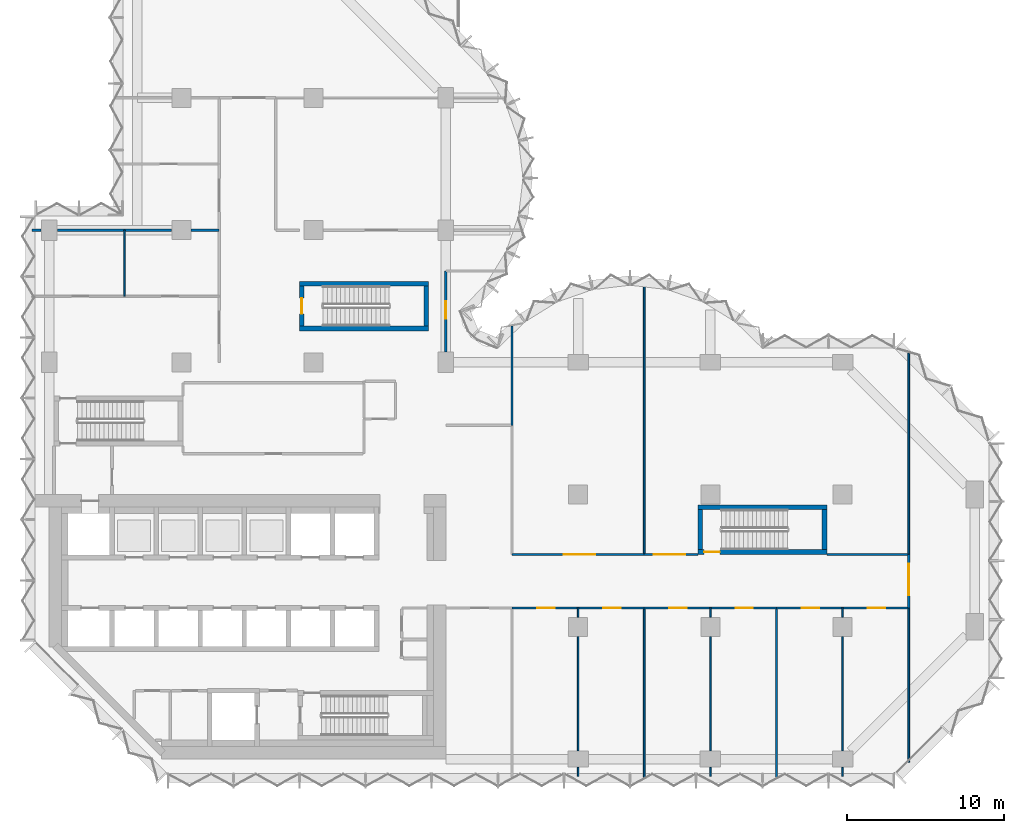
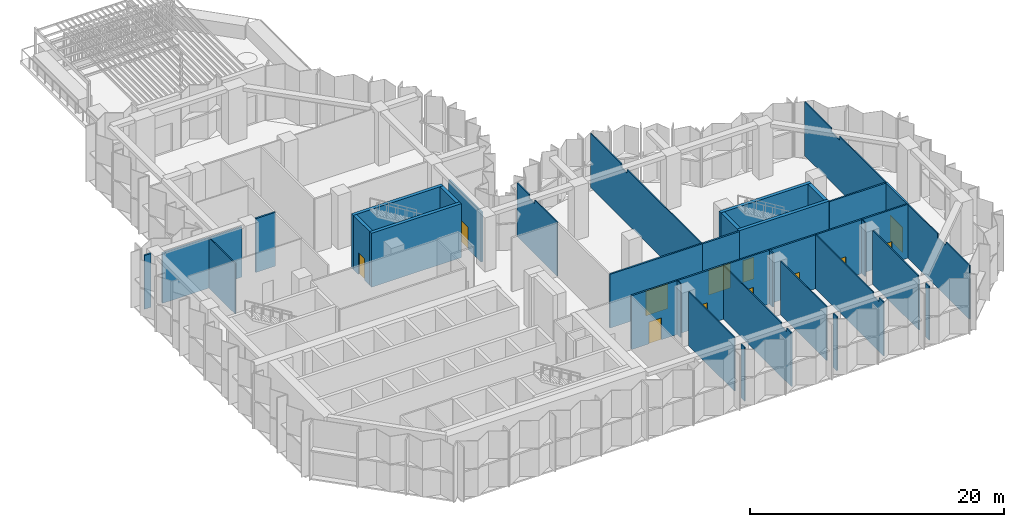
# One storey, part 10 of 15: 39 walls, 12 doors, 12 openings.
"""IFC4 building model written with IfcOpenShell, lengths in metres."""

from ifc_helpers import new_model, si_unit, direction, frame, frame_2d, origin, place, context, subcontext, project, spatial, polyline, rectangle, outline, extrude, material, layer, layer_set, type_object, element, fill, save


model = new_model("IFC4")

# Units and contexts
model_context = context("Model", 3, precision=1e-05, world=origin(), true_north=direction((0.0, 1.0)))
body_context = subcontext(model_context, "Body", "Model", "MODEL_VIEW")
ifc_project = project(units=[si_unit("LENGTHUNIT", "METRE"), si_unit("AREAUNIT", "SQUARE_METRE"), si_unit("VOLUMEUNIT", "CUBIC_METRE"), si_unit("PLANEANGLEUNIT", "RADIAN"), si_unit("MASSUNIT", "GRAM", prefix="KILO")], contexts=[model_context])

# Site, building, storey
site_placement = place(None, origin())
site = spatial("IfcSite", under=ifc_project, at=site_placement, CompositionType="ELEMENT")
building_placement = place(site_placement, origin())
building = spatial("IfcBuilding", under=site, at=building_placement, Name="Brevane Broadcast Tower", CompositionType="ELEMENT")
storey_placement = place(building_placement, frame((0.0, 0.0, 156.5)))
storey = spatial("IfcBuildingStorey", under=building, at=storey_placement, Name="L39", CompositionType="ELEMENT", Elevation=156.5)

# Walls
ifc_material_1 = material(Name="Concrete C60/75", Category="concrete")
ifc_layer_1 = layer(ifc_material_1, 0.300048828125)
ifc_layer_set_1 = layer_set([ifc_layer_1], Name="Core wall 300 mm C60/75")
wall_type_1 = type_object("IfcWallType", Name="Core wall 300 mm C60/75", PredefinedType="SHEAR", material=ifc_layer_set_1)
for number, where, z_axis, x_axis, name in (
    (1, (15.89990234375, 27.35009765625, 0.0), (0.0, 0.0, 1.0), (1.0, 0.0, 0.0), "L39 stair wall ST-3-S"),
    (2, (15.89990234375, 30.199951171875, 0.0), (0.0, 0.0, 1.0), (1.0, 0.0, 0.0), "L39 stair wall ST-3-N"),
):
    element("IfcWall", number, at=place(storey_placement, frame(where, z_axis=z_axis, x_axis=x_axis)), inside=storey, type_object=wall_type_1, Name=name, PredefinedType="SHEAR", context=body_context, shape_type="SweptSolid", body=[
        extrude(rectangle(XDim=8.2001953125, YDim=0.300048828125, at=frame_2d((4.10009765625, 0.0))), origin(), (0.0, 0.0, 1.0), 5.199951171875),
    ])

# Wall, opening, door
wall_1_placement = place(storey_placement, frame((16.050048828125, 27.5, 0.0), z_axis=(0.0, 0.0, 1.0), x_axis=(0.0, 1.0, 0.0)))
wall_1 = element("IfcWall", 3, at=wall_1_placement, inside=storey, type_object=wall_type_1, Name="L39 stair wall ST-3-W", PredefinedType="SHEAR", context=body_context, shape_type="SweptSolid", body=[
    extrude(rectangle(XDim=2.550048828125, YDim=0.300048828125, at=frame_2d((1.27490234375, 0.0))), origin(), (0.0, 0.0, 1.0), 5.199951171875),
])
opening_1_placement = place(wall_1_placement, frame((0.77490234375, 0.0, 0.0)))
opening_1 = element("IfcOpeningElement", 4, at=opening_1_placement, cuts=wall_1, Name="Opening L39-K20", PredefinedType="OPENING", context=body_context, shape_type="SweptSolid", body=[
    extrude(rectangle(XDim=1.0, YDim=2.10009765625, at=frame_2d((0.5, 1.050048828125))), frame((0.0, 0.159912109375, 0.0), z_axis=(0.0, -1.0, 0.0), x_axis=(1.0, 0.0, 0.0)), (0.0, 0.0, 1.0), 0.320068359375),
])
ifc_material_2 = material(Name="Steel", Category="steel")
door_type_1 = type_object("IfcDoorType", Name="Stair door 1000 x 2100", OperationType="SINGLE_SWING_LEFT", PredefinedType="DOOR", material=ifc_material_2)
door_1_placement = place(opening_1_placement, origin())
door_1 = element("IfcDoor", 5, at=door_1_placement, inside=storey, type_object=door_type_1, Name="Door L39-K20", OperationType="SINGLE_SWING_RIGHT", OverallHeight=2.10009765625, OverallWidth=1.0, PredefinedType="DOOR", context=body_context, shape_type="SweptSolid", body=[
    extrude(rectangle(XDim=1.0, YDim=2.10009765625, at=frame_2d((0.5, 1.050048828125))), frame((0.0, 0.02490234375, 0.0), z_axis=(0.0, -1.0, 0.0), x_axis=(1.0, 0.0, 0.0)), (0.0, 0.0, 1.0), 0.050048828125),
])
fill(opening_1, door_1)

# Wall
wall_2_placement = place(storey_placement, frame((23.949951171875, 27.5, 0.0), z_axis=(0.0, 0.0, 1.0), x_axis=(0.0, 1.0, 0.0)))
element("IfcWall", 6, at=wall_2_placement, inside=storey, type_object=wall_type_1, Name="L39 stair wall ST-3-E", PredefinedType="SHEAR", context=body_context, shape_type="SweptSolid", body=[
    extrude(rectangle(XDim=2.550048828125, YDim=0.300048828125, at=frame_2d((1.27490234375, 0.0))), origin(), (0.0, 0.0, 1.0), 5.199951171875),
])

# Wall, opening, door
wall_3_placement = place(storey_placement, frame((49.39990234375, 13.14990234375, 0.0), z_axis=(0.0, 0.0, 1.0), x_axis=(-1.0, 0.0, 0.0)))
wall_3 = element("IfcWall", 7, at=wall_3_placement, inside=storey, type_object=wall_type_1, Name="L39 stair wall ST-4-S", PredefinedType="SHEAR", context=body_context, shape_type="SweptSolid", body=[
    extrude(rectangle(XDim=8.199951171875, YDim=0.300048828125, at=frame_2d((4.10009765625, 0.0))), origin(), (0.0, 0.0, 1.0), 5.199951171875),
])
opening_2_placement = place(wall_3_placement, frame((6.800048828125, 0.0, 0.0)))
opening_2 = element("IfcOpeningElement", 8, at=opening_2_placement, cuts=wall_3, Name="Opening L39-K21", PredefinedType="OPENING", context=body_context, shape_type="SweptSolid", body=[
    extrude(rectangle(XDim=1.0, YDim=2.10009765625, at=frame_2d((0.5, 1.050048828125))), frame((0.0, 0.159912109375, 0.0), z_axis=(0.0, -1.0, 0.0), x_axis=(1.0, 0.0, 0.0)), (0.0, 0.0, 1.0), 0.320068359375),
])
door_2_placement = place(opening_2_placement, origin())
door_2 = element("IfcDoor", 9, at=door_2_placement, inside=storey, type_object=door_type_1, Name="Door L39-K21", OperationType="SINGLE_SWING_LEFT", OverallHeight=2.10009765625, OverallWidth=1.0, PredefinedType="DOOR", context=body_context, shape_type="SweptSolid", body=[
    extrude(rectangle(XDim=1.0, YDim=2.10009765625, at=frame_2d((0.5, 1.050048828125))), frame((0.0, 0.02490234375, 0.0), z_axis=(0.0, -1.0, 0.0), x_axis=(1.0, 0.0, 0.0)), (0.0, 0.0, 1.0), 0.050048828125),
])
fill(opening_2, door_2)

# Walls
wall_4_placement = place(storey_placement, frame((41.199951171875, 16.0, 0.0), z_axis=(0.0, 0.0, 1.0), x_axis=(1.0, 0.0, 0.0)))
element("IfcWall", 10, at=wall_4_placement, inside=storey, type_object=wall_type_1, Name="L39 stair wall ST-4-N", PredefinedType="SHEAR", context=body_context, shape_type="SweptSolid", body=[
    extrude(rectangle(XDim=8.199951171875, YDim=0.300048828125, at=frame_2d((4.10009765625, 0.0))), origin(), (0.0, 0.0, 1.0), 5.199951171875),
])
for number, where, z_axis, x_axis, name in (
    (11, (41.35009765625, 13.300048828125, 0.0), (0.0, 0.0, 1.0), (0.0, 1.0, 0.0), "L39 stair wall ST-4-W"),
    (12, (49.25, 13.300048828125, 0.0), (0.0, 0.0, 1.0), (0.0, 1.0, 0.0), "L39 stair wall ST-4-E"),
):
    element("IfcWall", number, at=place(storey_placement, frame(where, z_axis=z_axis, x_axis=x_axis)), inside=storey, type_object=wall_type_1, Name=name, PredefinedType="SHEAR", context=body_context, shape_type="SweptSolid", body=[
        extrude(rectangle(XDim=2.550048828125, YDim=0.300048828125, at=frame_2d((1.27490234375, 0.0))), origin(), (0.0, 0.0, 1.0), 5.199951171875),
    ])
ifc_material_3 = material(Name="Gypsum board partition")
ifc_layer_2 = layer(ifc_material_3, 0.10009765625)
ifc_layer_set_2 = layer_set([ifc_layer_2], Name="PARTITION 100 STUD")
wall_type_2 = type_object("IfcWallType", Name="PARTITION 100 STUD", PredefinedType="PARTITIONING", material=ifc_layer_set_2)
wall_5_placement = place(storey_placement, frame((29.39990234375, 27.5068359375, 0.0), z_axis=(0.0, 0.0, 1.0), x_axis=(0.0, -1.0, 0.0)))
element("IfcWall", 13, at=wall_5_placement, inside=storey, type_object=wall_type_2, Name="Partition S1-004", PredefinedType="PARTITIONING", context=body_context, shape_type="SweptSolid", body=[
    extrude(outline(polyline([(0.0, 0.0), (6.306884765625, 0.0), (6.306884765625, 5.179931640625), (2.7568359375, 5.179931640625), (2.7548828125, 4.830078125), (1.85888671875, 4.830078125), (1.85693359375, 5.179931640625), (0.23193359375, 5.179931640625), (0.0, 5.179931640625), (0.0, 0.0)])), frame((0.0, 0.050048828125, 0.0), z_axis=(0.0, -1.0, 0.0), x_axis=(1.0, 0.0, 0.0)), (0.0, 0.0, 1.0), 0.10009765625),
])
wall_6_placement = place(storey_placement, frame((54.60009765625, -0.199951171875, 0.0), z_axis=(0.0, 0.0, 1.0), x_axis=(0.0, 1.0, 0.0)))
element("IfcWall", 14, at=wall_6_placement, inside=storey, type_object=wall_type_2, Name="Partition S1-017", PredefinedType="PARTITIONING", context=body_context, shape_type="SweptSolid", body=[
    extrude(outline(polyline([(0.0, 0.0), (9.800048828125, 0.0), (9.800048828125, 5.179931640625), (5.065673828125, 5.179931640625), (5.063720703125, 4.830078125), (3.736328125, 4.830078125), (3.734375, 5.179931640625), (0.0, 5.179931640625), (0.0, 0.0)])), frame((0.0, 0.050048828125, 0.0), z_axis=(0.0, -1.0, 0.0), x_axis=(1.0, 0.0, 0.0)), (0.0, 0.0, 1.0), 0.10009765625),
])
wall_7_placement = place(storey_placement, frame((54.60009765625, 13.0, 0.0), z_axis=(0.0, 0.0, 1.0), x_axis=(0.0, 1.0, 0.0)))
element("IfcWall", 15, at=wall_7_placement, inside=storey, type_object=wall_type_2, Name="Partition S1-018", PredefinedType="PARTITIONING", context=body_context, shape_type="SweptSolid", body=[
    extrude(outline(polyline([(0.0, 0.0), (12.80078125, 0.0), (12.80078125, 5.179931640625), (12.39990234375, 5.179931640625), (8.665771484375, 5.179931640625), (8.66357421875, 4.830078125), (7.33642578125, 4.830078125), (7.334228515625, 5.179931640625), (0.0, 5.179931640625), (0.0, 0.0)])), frame((0.0, 0.050048828125, 0.0), z_axis=(0.0, -1.0, 0.0), x_axis=(1.0, 0.0, 0.0)), (0.0, 0.0, 1.0), 0.10009765625),
])
wall_8_placement = place(storey_placement, frame((33.60009765625, 9.60009765625, 0.0), z_axis=(0.0, 0.0, 1.0), x_axis=(0.0, -1.0, 0.0)))
element("IfcWall", 16, at=wall_8_placement, inside=storey, type_object=wall_type_2, Name="Partition S1-020", PredefinedType="PARTITIONING", context=body_context, shape_type="SweptSolid", body=[
    extrude(rectangle(XDim=0.580078125, YDim=0.10009765625, at=frame_2d((0.2900390625, 0.0))), origin(), (0.0, 0.0, 1.0), 5.179931640625),
])
wall_9_placement = place(storey_placement, frame((33.60009765625, 7.780029296875, 0.0), z_axis=(0.0, 0.0, 1.0), x_axis=(0.0, -1.0, 0.0)))
element("IfcWall", 17, at=wall_9_placement, inside=storey, type_object=wall_type_2, Name="Partition S1-021", PredefinedType="PARTITIONING", context=body_context, shape_type="SweptSolid", body=[
    extrude(rectangle(XDim=7.260009765625, YDim=0.10009765625, at=frame_2d((3.6298828125, 0.0))), origin(), (0.0, 0.0, 1.0), 5.179931640625),
])
wall_10_placement = place(storey_placement, frame((33.60009765625, -0.52001953125, 0.0), z_axis=(0.0, 0.0, 1.0), x_axis=(0.0, -1.0, 0.0)))
element("IfcWall", 18, at=wall_10_placement, inside=storey, type_object=wall_type_2, Name="Partition S1-022", PredefinedType="PARTITIONING", context=body_context, shape_type="SweptSolid", body=[
    extrude(rectangle(XDim=0.580078125, YDim=0.10009765625, at=frame_2d((0.2900390625, 0.0))), origin(), (0.0, 0.0, 1.0), 5.179931640625),
])
wall_11_placement = place(storey_placement, frame((37.800048828125, 9.60009765625, 0.0), z_axis=(0.0, 0.0, 1.0), x_axis=(0.0, -1.0, 0.0)))
element("IfcWall", 19, at=wall_11_placement, inside=storey, type_object=wall_type_2, Name="Partition S1-023", PredefinedType="PARTITIONING", context=body_context, shape_type="SweptSolid", body=[
    extrude(outline(polyline([(0.0, 0.0), (10.77880859375, 0.0), (10.778564453125, 5.179931640625), (10.699951171875, 5.179931640625), (10.050048828125, 5.179931640625), (10.048095703125, 4.830078125), (9.152099609375, 4.830078125), (9.14990234375, 5.179931640625), (0.0, 5.179931640625), (0.0, 0.0)])), frame((0.0, 0.050048828125, 0.0), z_axis=(0.0, -1.0, 0.0), x_axis=(1.0, 0.0, 0.0)), (0.0, 0.0, 1.0), 0.10009765625),
])
wall_12_placement = place(storey_placement, frame((42.0, 9.60009765625, 0.0), z_axis=(0.0, 0.0, 1.0), x_axis=(0.0, -1.0, 0.0)))
element("IfcWall", 20, at=wall_12_placement, inside=storey, type_object=wall_type_2, Name="Partition S1-024", PredefinedType="PARTITIONING", context=body_context, shape_type="SweptSolid", body=[
    extrude(rectangle(XDim=0.580078125, YDim=0.10009765625, at=frame_2d((0.2900390625, 0.0))), origin(), (0.0, 0.0, 1.0), 5.179931640625),
])
wall_13_placement = place(storey_placement, frame((42.0, 7.780029296875, 0.0), z_axis=(0.0, 0.0, 1.0), x_axis=(0.0, -1.0, 0.0)))
element("IfcWall", 21, at=wall_13_placement, inside=storey, type_object=wall_type_2, Name="Partition S1-025", PredefinedType="PARTITIONING", context=body_context, shape_type="SweptSolid", body=[
    extrude(rectangle(XDim=7.260009765625, YDim=0.10009765625, at=frame_2d((3.6298828125, 0.0))), origin(), (0.0, 0.0, 1.0), 5.179931640625),
])
wall_14_placement = place(storey_placement, frame((42.0, -0.52001953125, 0.0), z_axis=(0.0, 0.0, 1.0), x_axis=(0.0, -1.0, 0.0)))
element("IfcWall", 22, at=wall_14_placement, inside=storey, type_object=wall_type_2, Name="Partition S1-026", PredefinedType="PARTITIONING", context=body_context, shape_type="SweptSolid", body=[
    extrude(rectangle(XDim=0.580078125, YDim=0.10009765625, at=frame_2d((0.2900390625, 0.0))), origin(), (0.0, 0.0, 1.0), 5.179931640625),
])
wall_15_placement = place(storey_placement, frame((46.199951171875, 9.60009765625, 0.0), z_axis=(0.0, 0.0, 1.0), x_axis=(0.0, -1.0, 0.0)))
element("IfcWall", 23, at=wall_15_placement, inside=storey, type_object=wall_type_2, Name="Partition S1-027", PredefinedType="PARTITIONING", context=body_context, shape_type="SweptSolid", body=[
    extrude(outline(polyline([(0.0, 0.0), (10.77880859375, 0.0), (10.778564453125, 5.179931640625), (10.699951171875, 5.179931640625), (10.050048828125, 5.179931640625), (10.048095703125, 4.830078125), (9.152099609375, 4.830078125), (9.14990234375, 5.179931640625), (0.0, 5.179931640625), (0.0, 0.0)])), frame((0.0, 0.050048828125, 0.0), z_axis=(0.0, -1.0, 0.0), x_axis=(1.0, 0.0, 0.0)), (0.0, 0.0, 1.0), 0.10009765625),
])
wall_16_placement = place(storey_placement, frame((50.39990234375, 9.60009765625, 0.0), z_axis=(0.0, 0.0, 1.0), x_axis=(0.0, -1.0, 0.0)))
element("IfcWall", 24, at=wall_16_placement, inside=storey, type_object=wall_type_2, Name="Partition S1-028", PredefinedType="PARTITIONING", context=body_context, shape_type="SweptSolid", body=[
    extrude(rectangle(XDim=0.580078125, YDim=0.10009765625, at=frame_2d((0.2900390625, 0.0))), origin(), (0.0, 0.0, 1.0), 5.179931640625),
])
wall_17_placement = place(storey_placement, frame((50.39990234375, 7.780029296875, 0.0), z_axis=(0.0, 0.0, 1.0), x_axis=(0.0, -1.0, 0.0)))
element("IfcWall", 25, at=wall_17_placement, inside=storey, type_object=wall_type_2, Name="Partition S1-029", PredefinedType="PARTITIONING", context=body_context, shape_type="SweptSolid", body=[
    extrude(outline(polyline([(0.0, 0.0), (7.260009765625, 0.0), (7.260009765625, 4.830078125), (7.1162109375, 4.830078125), (7.1142578125, 5.179931640625), (0.0, 5.179931640625), (0.0, 0.0)])), frame((0.0, 0.050048828125, 0.0), z_axis=(0.0, -1.0, 0.0), x_axis=(1.0, 0.0, 0.0)), (0.0, 0.0, 1.0), 0.10009765625),
])
wall_18_placement = place(storey_placement, frame((50.39990234375, -0.52001953125, 0.0), z_axis=(0.0, 0.0, 1.0), x_axis=(0.0, -1.0, 0.0)))
element("IfcWall", 26, at=wall_18_placement, inside=storey, type_object=wall_type_2, Name="Partition S1-030", PredefinedType="PARTITIONING", context=body_context, shape_type="SweptSolid", body=[
    extrude(rectangle(XDim=0.580078125, YDim=0.10009765625, at=frame_2d((0.2900390625, 0.0))), origin(), (0.0, 0.0, 1.0), 5.179931640625),
])
wall_19_placement = place(storey_placement, frame((37.800048828125, 30.52294921875, 0.0), z_axis=(0.0, 0.0, 1.0), x_axis=(0.0, -1.0, 0.0)))
element("IfcWall", 27, at=wall_19_placement, inside=storey, type_object=wall_type_2, Name="Partition S1-031", PredefinedType="PARTITIONING", context=body_context, shape_type="SweptSolid", body=[
    extrude(outline(polyline([(0.0, 0.0), (17.52294921875, 0.0), (17.52294921875, 5.179931640625), (5.77294921875, 5.179931640625), (5.77099609375, 4.830078125), (4.875, 4.830078125), (4.873046875, 5.179931640625), (0.2802734375, 5.179931640625), (0.0, 5.179931640625), (0.0, 0.0)])), frame((0.0, 0.050048828125, 0.0), z_axis=(0.0, -1.0, 0.0), x_axis=(1.0, 0.0, 0.0)), (0.0, 0.0, 1.0), 0.10009765625),
])
wall_20_placement = place(storey_placement, frame((4.800048828125, 33.60009765625, 0.0), z_axis=(0.0, 0.0, 1.0), x_axis=(0.0, -1.0, 0.0)))
element("IfcWall", 28, at=wall_20_placement, inside=storey, type_object=wall_type_2, Name="Partition S1-048", PredefinedType="PARTITIONING", context=body_context, shape_type="SweptSolid", body=[
    extrude(rectangle(XDim=4.2001953125, YDim=0.10009765625, at=frame_2d((2.10009765625, 0.0))), origin(), (0.0, 0.0, 1.0), 4.830078125),
])

# Wall, opening, door
ifc_layer_3 = layer(ifc_material_3, 0.14990234375)
ifc_layer_set_3 = layer_set([ifc_layer_3], Name="PARTITION 150 EI 60")
wall_type_3 = type_object("IfcWallType", Name="PARTITION 150 EI 60", PredefinedType="PARTITIONING", material=ifc_layer_set_3)
wall_21_placement = place(storey_placement, frame((25.199951171875, 31.0, 0.0), z_axis=(0.0, 0.0, 1.0), x_axis=(0.0, -1.0, 0.0)))
wall_21 = element("IfcWall", 29, at=wall_21_placement, inside=storey, type_object=wall_type_3, Name="Partition S1-005", PredefinedType="PARTITIONING", context=body_context, shape_type="SweptSolid", body=[
    extrude(outline(polyline([(0.0, 0.0), (5.1298828125, 0.0), (5.1298828125, 4.830078125), (0.0, 4.830078125), (0.0, 0.0)])), frame((0.0, 0.074951171875, 0.0), z_axis=(0.0, -1.0, 0.0), x_axis=(1.0, 0.0, 0.0)), (0.0, 0.0, 1.0), 0.14990234375),
])
opening_3_placement = place(wall_21_placement, frame((1.929931640625, 0.0, 0.0)))
opening_3 = element("IfcOpeningElement", 30, at=opening_3_placement, cuts=wall_21, Name="Opening D19-001", PredefinedType="OPENING", context=body_context, shape_type="SweptSolid", body=[
    extrude(rectangle(XDim=1.10009765625, YDim=2.10009765625, at=frame_2d((0.550048828125, 1.050048828125))), frame((0.0, 0.0849609375, 0.0), z_axis=(0.0, -1.0, 0.0), x_axis=(1.0, 0.0, 0.0)), (0.0, 0.0, 1.0), 0.169921875),
])
ifc_material_4 = material(Name="Fire-rated timber door leaf", Category="wood")
door_type_2 = type_object("IfcDoorType", Name="DOOR SINGLE 1100 FD30S", OperationType="SINGLE_SWING_LEFT", PredefinedType="DOOR", material=ifc_material_4)
door_3_placement = place(opening_3_placement, origin())
door_3 = element("IfcDoor", 31, at=door_3_placement, inside=storey, type_object=door_type_2, Name="Door D19-001", OperationType="SINGLE_SWING_RIGHT", OverallHeight=2.10009765625, OverallWidth=1.10009765625, PredefinedType="DOOR", context=body_context, shape_type="SweptSolid", body=[
    extrude(rectangle(XDim=1.10009765625, YDim=2.10009765625, at=frame_2d((0.550048828125, 1.050048828125))), frame((0.0, 0.02490234375, 0.0), z_axis=(0.0, -1.0, 0.0), x_axis=(1.0, 0.0, 0.0)), (0.0, 0.0, 1.0), 0.050048828125),
])
fill(opening_3, door_3)

wall_22_placement = place(storey_placement, frame((54.60009765625, 13.0, 0.0), z_axis=(0.0, 0.0, 1.0), x_axis=(0.0, -1.0, 0.0)))
wall_22 = element("IfcWall", 32, at=wall_22_placement, inside=storey, type_object=wall_type_3, Name="Partition S1-007", PredefinedType="PARTITIONING", context=body_context, shape_type="SweptSolid", body=[
    extrude(rectangle(XDim=3.39990234375, YDim=0.14990234375, at=frame_2d((1.699951171875, 0.0))), origin(), (0.0, 0.0, 1.0), 5.179931640625),
])
opening_4_placement = place(wall_22_placement, frame((0.60009765625, 0.0, 0.0)))
opening_4 = element("IfcOpeningElement", 33, at=opening_4_placement, cuts=wall_22, Name="Opening D19-002", PredefinedType="OPENING", context=body_context, shape_type="SweptSolid", body=[
    extrude(rectangle(XDim=2.0, YDim=2.39990234375, at=frame_2d((1.0, 1.199951171875))), frame((0.0, 0.0849609375, 0.0), z_axis=(0.0, -1.0, 0.0), x_axis=(1.0, 0.0, 0.0)), (0.0, 0.0, 1.0), 0.169921875),
])
door_type_3 = type_object("IfcDoorType", Name="DOOR DOUBLE 2000 FD30S", OperationType="DOUBLE_DOOR_SINGLE_SWING", PredefinedType="DOOR", material=ifc_material_4)
door_4_placement = place(opening_4_placement, origin())
door_4 = element("IfcDoor", 34, at=door_4_placement, inside=storey, type_object=door_type_3, Name="Door D19-002", OperationType="DOUBLE_DOOR_SINGLE_SWING", OverallHeight=2.39990234375, OverallWidth=2.0, PredefinedType="DOOR", context=body_context, shape_type="SweptSolid", body=[
    extrude(rectangle(XDim=2.0, YDim=2.39990234375, at=frame_2d((1.0, 1.199951171875))), frame((0.0, 0.02490234375, 0.0), z_axis=(0.0, -1.0, 0.0), x_axis=(1.0, 0.0, 0.0)), (0.0, 0.0, 1.0), 0.050048828125),
])
fill(opening_4, door_4)

wall_23_placement = place(storey_placement, frame((33.60009765625, 9.60009765625, 0.0), z_axis=(0.0, 0.0, 1.0), x_axis=(-1.0, 0.0, 0.0)))
wall_23 = element("IfcWall", 35, at=wall_23_placement, inside=storey, type_object=wall_type_3, Name="Partition S1-008", PredefinedType="PARTITIONING", context=body_context, shape_type="SweptSolid", body=[
    extrude(rectangle(XDim=4.2001953125, YDim=0.14990234375, at=frame_2d((2.10009765625, 0.0))), origin(), (0.0, 0.0, 1.0), 5.179931640625),
])
opening_5_placement = place(wall_23_placement, frame((1.5, 0.0, 0.0)))
opening_5 = element("IfcOpeningElement", 36, at=opening_5_placement, cuts=wall_23, Name="Opening D19-004", PredefinedType="OPENING", context=body_context, shape_type="SweptSolid", body=[
    extrude(rectangle(XDim=1.10009765625, YDim=2.10009765625, at=frame_2d((0.550048828125, 1.050048828125))), frame((0.0, 0.0849609375, 0.0), z_axis=(0.0, -1.0, 0.0), x_axis=(1.0, 0.0, 0.0)), (0.0, 0.0, 1.0), 0.169921875),
])
door_5_placement = place(opening_5_placement, origin())
door_5 = element("IfcDoor", 37, at=door_5_placement, inside=storey, type_object=door_type_2, Name="Door D19-004", OperationType="SINGLE_SWING_LEFT", OverallHeight=2.10009765625, OverallWidth=1.10009765625, PredefinedType="DOOR", context=body_context, shape_type="SweptSolid", body=[
    extrude(rectangle(XDim=1.10009765625, YDim=2.10009765625, at=frame_2d((0.550048828125, 1.050048828125))), frame((0.0, 0.02490234375, 0.0), z_axis=(0.0, -1.0, 0.0), x_axis=(1.0, 0.0, 0.0)), (0.0, 0.0, 1.0), 0.050048828125),
])
fill(opening_5, door_5)

wall_24_placement = place(storey_placement, frame((37.800048828125, 9.60009765625, 0.0), z_axis=(0.0, 0.0, 1.0), x_axis=(-1.0, 0.0, 0.0)))
wall_24 = element("IfcWall", 38, at=wall_24_placement, inside=storey, type_object=wall_type_3, Name="Partition S1-009", PredefinedType="PARTITIONING", context=body_context, shape_type="SweptSolid", body=[
    extrude(rectangle(XDim=4.199951171875, YDim=0.14990234375, at=frame_2d((2.10009765625, 0.0))), origin(), (0.0, 0.0, 1.0), 5.179931640625),
])
opening_6_placement = place(wall_24_placement, frame((1.5, 0.0, 0.0)))
opening_6 = element("IfcOpeningElement", 39, at=opening_6_placement, cuts=wall_24, Name="Opening D19-005", PredefinedType="OPENING", context=body_context, shape_type="SweptSolid", body=[
    extrude(rectangle(XDim=1.10009765625, YDim=2.10009765625, at=frame_2d((0.550048828125, 1.050048828125))), frame((0.0, 0.0849609375, 0.0), z_axis=(0.0, -1.0, 0.0), x_axis=(1.0, 0.0, 0.0)), (0.0, 0.0, 1.0), 0.169921875),
])
door_6_placement = place(opening_6_placement, origin())
door_6 = element("IfcDoor", 40, at=door_6_placement, inside=storey, type_object=door_type_2, Name="Door D19-005", OperationType="SINGLE_SWING_LEFT", OverallHeight=2.10009765625, OverallWidth=1.10009765625, PredefinedType="DOOR", context=body_context, shape_type="SweptSolid", body=[
    extrude(rectangle(XDim=1.10009765625, YDim=2.10009765625, at=frame_2d((0.550048828125, 1.050048828125))), frame((0.0, 0.02490234375, 0.0), z_axis=(0.0, -1.0, 0.0), x_axis=(1.0, 0.0, 0.0)), (0.0, 0.0, 1.0), 0.050048828125),
])
fill(opening_6, door_6)

wall_25_placement = place(storey_placement, frame((42.0, 9.60009765625, 0.0), z_axis=(0.0, 0.0, 1.0), x_axis=(-1.0, 0.0, 0.0)))
wall_25 = element("IfcWall", 41, at=wall_25_placement, inside=storey, type_object=wall_type_3, Name="Partition S1-010", PredefinedType="PARTITIONING", context=body_context, shape_type="SweptSolid", body=[
    extrude(rectangle(XDim=4.199951171875, YDim=0.14990234375, at=frame_2d((2.10009765625, 0.0))), origin(), (0.0, 0.0, 1.0), 5.179931640625),
])
opening_7_placement = place(wall_25_placement, frame((1.5, 0.0, 0.0)))
opening_7 = element("IfcOpeningElement", 42, at=opening_7_placement, cuts=wall_25, Name="Opening D19-006", PredefinedType="OPENING", context=body_context, shape_type="SweptSolid", body=[
    extrude(rectangle(XDim=1.10009765625, YDim=2.10009765625, at=frame_2d((0.550048828125, 1.050048828125))), frame((0.0, 0.0849609375, 0.0), z_axis=(0.0, -1.0, 0.0), x_axis=(1.0, 0.0, 0.0)), (0.0, 0.0, 1.0), 0.169921875),
])
door_7_placement = place(opening_7_placement, origin())
door_7 = element("IfcDoor", 43, at=door_7_placement, inside=storey, type_object=door_type_2, Name="Door D19-006", OperationType="SINGLE_SWING_LEFT", OverallHeight=2.10009765625, OverallWidth=1.10009765625, PredefinedType="DOOR", context=body_context, shape_type="SweptSolid", body=[
    extrude(rectangle(XDim=1.10009765625, YDim=2.10009765625, at=frame_2d((0.550048828125, 1.050048828125))), frame((0.0, 0.02490234375, 0.0), z_axis=(0.0, -1.0, 0.0), x_axis=(1.0, 0.0, 0.0)), (0.0, 0.0, 1.0), 0.050048828125),
])
fill(opening_7, door_7)

wall_26_placement = place(storey_placement, frame((46.199951171875, 9.60009765625, 0.0), z_axis=(0.0, 0.0, 1.0), x_axis=(-1.0, 0.0, 0.0)))
wall_26 = element("IfcWall", 44, at=wall_26_placement, inside=storey, type_object=wall_type_3, Name="Partition S1-011", PredefinedType="PARTITIONING", context=body_context, shape_type="SweptSolid", body=[
    extrude(rectangle(XDim=4.199951171875, YDim=0.14990234375, at=frame_2d((2.10009765625, 0.0))), origin(), (0.0, 0.0, 1.0), 5.179931640625),
])
opening_8_placement = place(wall_26_placement, frame((1.5, 0.0, 0.0)))
opening_8 = element("IfcOpeningElement", 45, at=opening_8_placement, cuts=wall_26, Name="Opening D19-007", PredefinedType="OPENING", context=body_context, shape_type="SweptSolid", body=[
    extrude(rectangle(XDim=1.10009765625, YDim=2.10009765625, at=frame_2d((0.550048828125, 1.050048828125))), frame((0.0, 0.0849609375, 0.0), z_axis=(0.0, -1.0, 0.0), x_axis=(1.0, 0.0, 0.0)), (0.0, 0.0, 1.0), 0.169921875),
])
door_8_placement = place(opening_8_placement, origin())
door_8 = element("IfcDoor", 46, at=door_8_placement, inside=storey, type_object=door_type_2, Name="Door D19-007", OperationType="SINGLE_SWING_LEFT", OverallHeight=2.10009765625, OverallWidth=1.10009765625, PredefinedType="DOOR", context=body_context, shape_type="SweptSolid", body=[
    extrude(rectangle(XDim=1.10009765625, YDim=2.10009765625, at=frame_2d((0.550048828125, 1.050048828125))), frame((0.0, 0.02490234375, 0.0), z_axis=(0.0, -1.0, 0.0), x_axis=(1.0, 0.0, 0.0)), (0.0, 0.0, 1.0), 0.050048828125),
])
fill(opening_8, door_8)

wall_27_placement = place(storey_placement, frame((50.39990234375, 9.60009765625, 0.0), z_axis=(0.0, 0.0, 1.0), x_axis=(-1.0, 0.0, 0.0)))
wall_27 = element("IfcWall", 47, at=wall_27_placement, inside=storey, type_object=wall_type_3, Name="Partition S1-012", PredefinedType="PARTITIONING", context=body_context, shape_type="SweptSolid", body=[
    extrude(rectangle(XDim=4.199951171875, YDim=0.14990234375, at=frame_2d((2.10009765625, 0.0))), origin(), (0.0, 0.0, 1.0), 5.179931640625),
])
opening_9_placement = place(wall_27_placement, frame((1.5, 0.0, 0.0)))
opening_9 = element("IfcOpeningElement", 48, at=opening_9_placement, cuts=wall_27, Name="Opening D19-008", PredefinedType="OPENING", context=body_context, shape_type="SweptSolid", body=[
    extrude(rectangle(XDim=1.10009765625, YDim=2.10009765625, at=frame_2d((0.550048828125, 1.050048828125))), frame((0.0, 0.0849609375, 0.0), z_axis=(0.0, -1.0, 0.0), x_axis=(1.0, 0.0, 0.0)), (0.0, 0.0, 1.0), 0.169921875),
])
door_9_placement = place(opening_9_placement, origin())
door_9 = element("IfcDoor", 49, at=door_9_placement, inside=storey, type_object=door_type_2, Name="Door D19-008", OperationType="SINGLE_SWING_LEFT", OverallHeight=2.10009765625, OverallWidth=1.10009765625, PredefinedType="DOOR", context=body_context, shape_type="SweptSolid", body=[
    extrude(rectangle(XDim=1.10009765625, YDim=2.10009765625, at=frame_2d((0.550048828125, 1.050048828125))), frame((0.0, 0.02490234375, 0.0), z_axis=(0.0, -1.0, 0.0), x_axis=(1.0, 0.0, 0.0)), (0.0, 0.0, 1.0), 0.050048828125),
])
fill(opening_9, door_9)

wall_28_placement = place(storey_placement, frame((54.60009765625, 9.60009765625, 0.0), z_axis=(0.0, 0.0, 1.0), x_axis=(-1.0, 0.0, 0.0)))
wall_28 = element("IfcWall", 50, at=wall_28_placement, inside=storey, type_object=wall_type_3, Name="Partition S1-013", PredefinedType="PARTITIONING", context=body_context, shape_type="SweptSolid", body=[
    extrude(rectangle(XDim=4.2001953125, YDim=0.14990234375, at=frame_2d((2.10009765625, 0.0))), origin(), (0.0, 0.0, 1.0), 5.179931640625),
])
opening_10_placement = place(wall_28_placement, frame((1.5, 0.0, 0.0)))
opening_10 = element("IfcOpeningElement", 51, at=opening_10_placement, cuts=wall_28, Name="Opening D19-009", PredefinedType="OPENING", context=body_context, shape_type="SweptSolid", body=[
    extrude(rectangle(XDim=1.10009765625, YDim=2.10009765625, at=frame_2d((0.550048828125, 1.050048828125))), frame((0.0, 0.0849609375, 0.0), z_axis=(0.0, -1.0, 0.0), x_axis=(1.0, 0.0, 0.0)), (0.0, 0.0, 1.0), 0.169921875),
])
door_10_placement = place(opening_10_placement, origin())
door_10 = element("IfcDoor", 52, at=door_10_placement, inside=storey, type_object=door_type_2, Name="Door D19-009", OperationType="SINGLE_SWING_LEFT", OverallHeight=2.10009765625, OverallWidth=1.10009765625, PredefinedType="DOOR", context=body_context, shape_type="SweptSolid", body=[
    extrude(rectangle(XDim=1.10009765625, YDim=2.10009765625, at=frame_2d((0.550048828125, 1.050048828125))), frame((0.0, 0.02490234375, 0.0), z_axis=(0.0, -1.0, 0.0), x_axis=(1.0, 0.0, 0.0)), (0.0, 0.0, 1.0), 0.050048828125),
])
fill(opening_10, door_10)

wall_29_placement = place(storey_placement, frame((29.39990234375, 13.0, 0.0), z_axis=(0.0, 0.0, 1.0), x_axis=(1.0, 0.0, 0.0)))
wall_29 = element("IfcWall", 53, at=wall_29_placement, inside=storey, type_object=wall_type_3, Name="Partition S1-014", PredefinedType="PARTITIONING", context=body_context, shape_type="SweptSolid", body=[
    extrude(rectangle(XDim=8.400146484375, YDim=0.14990234375, at=frame_2d((4.2001953125, 0.0))), origin(), (0.0, 0.0, 1.0), 5.179931640625),
])
opening_11_placement = place(wall_29_placement, frame((3.300048828125, 0.0, 0.0)))
opening_11 = element("IfcOpeningElement", 54, at=opening_11_placement, cuts=wall_29, Name="Opening D19-010", PredefinedType="OPENING", context=body_context, shape_type="SweptSolid", body=[
    extrude(rectangle(XDim=2.0, YDim=2.39990234375, at=frame_2d((1.0, 1.199951171875))), frame((0.0, 0.0849609375, 0.0), z_axis=(0.0, -1.0, 0.0), x_axis=(1.0, 0.0, 0.0)), (0.0, 0.0, 1.0), 0.169921875),
])
door_11_placement = place(opening_11_placement, origin())
door_11 = element("IfcDoor", 55, at=door_11_placement, inside=storey, type_object=door_type_3, Name="Door D19-010", OperationType="DOUBLE_DOOR_SINGLE_SWING", OverallHeight=2.39990234375, OverallWidth=2.0, PredefinedType="DOOR", context=body_context, shape_type="SweptSolid", body=[
    extrude(rectangle(XDim=2.0, YDim=2.39990234375, at=frame_2d((1.0, 1.199951171875))), frame((0.0, 0.02490234375, 0.0), z_axis=(0.0, -1.0, 0.0), x_axis=(1.0, 0.0, 0.0)), (0.0, 0.0, 1.0), 0.050048828125),
])
fill(opening_11, door_11)

wall_30_placement = place(storey_placement, frame((37.800048828125, 13.0, 0.0), z_axis=(0.0, 0.0, 1.0), x_axis=(1.0, 0.0, 0.0)))
wall_30 = element("IfcWall", 56, at=wall_30_placement, inside=storey, type_object=wall_type_3, Name="Partition S1-015", PredefinedType="PARTITIONING", context=body_context, shape_type="SweptSolid", body=[
    extrude(rectangle(XDim=3.39990234375, YDim=0.14990234375, at=frame_2d((1.699951171875, 0.0))), origin(), (0.0, 0.0, 1.0), 5.179931640625),
])
opening_12_placement = place(wall_30_placement, frame((0.60009765625, 0.0, 0.0)))
opening_12 = element("IfcOpeningElement", 57, at=opening_12_placement, cuts=wall_30, Name="Opening D19-011", PredefinedType="OPENING", context=body_context, shape_type="SweptSolid", body=[
    extrude(rectangle(XDim=2.0, YDim=2.39990234375, at=frame_2d((1.0, 1.199951171875))), frame((0.0, 0.0849609375, 0.0), z_axis=(0.0, -1.0, 0.0), x_axis=(1.0, 0.0, 0.0)), (0.0, 0.0, 1.0), 0.169921875),
])
door_12_placement = place(opening_12_placement, origin())
door_12 = element("IfcDoor", 58, at=door_12_placement, inside=storey, type_object=door_type_3, Name="Door D19-011", OperationType="DOUBLE_DOOR_SINGLE_SWING", OverallHeight=2.39990234375, OverallWidth=2.0, PredefinedType="DOOR", context=body_context, shape_type="SweptSolid", body=[
    extrude(rectangle(XDim=2.0, YDim=2.39990234375, at=frame_2d((1.0, 1.199951171875))), frame((0.0, 0.02490234375, 0.0), z_axis=(0.0, -1.0, 0.0), x_axis=(1.0, 0.0, 0.0)), (0.0, 0.0, 1.0), 0.050048828125),
])
fill(opening_12, door_12)

# Walls
wall_31_placement = place(storey_placement, frame((49.39990234375, 13.0, 0.0), z_axis=(0.0, 0.0, 1.0), x_axis=(1.0, 0.0, 0.0)))
element("IfcWall", 59, at=wall_31_placement, inside=storey, type_object=wall_type_3, Name="Partition S1-016", PredefinedType="PARTITIONING", context=body_context, shape_type="SweptSolid", body=[
    extrude(rectangle(XDim=5.2001953125, YDim=0.14990234375, at=frame_2d((2.60009765625, 0.0))), origin(), (0.0, 0.0, 1.0), 5.179931640625),
])
wall_32_placement = place(storey_placement, frame((-1.10009765625, 33.60009765625, 0.0), z_axis=(0.0, 0.0, 1.0), x_axis=(1.0, 0.0, 0.0)))
element("IfcWall", 60, at=wall_32_placement, inside=storey, type_object=wall_type_3, Name="Partition S1-049", PredefinedType="PARTITIONING", context=body_context, shape_type="SweptSolid", body=[
    extrude(rectangle(XDim=0.580078125, YDim=0.14990234375, at=frame_2d((0.2900390625, 0.0))), origin(), (0.0, 0.0, 1.0), 5.179931640625),
])
wall_33_placement = place(storey_placement, frame((0.52001953125, 33.60009765625, 0.0), z_axis=(0.0, 0.0, 1.0), x_axis=(1.0, 0.0, 0.0)))
element("IfcWall", 61, at=wall_33_placement, inside=storey, type_object=wall_type_3, Name="Partition S1-050", PredefinedType="PARTITIONING", context=body_context, shape_type="SweptSolid", body=[
    extrude(rectangle(XDim=4.280029296875, YDim=0.14990234375, at=frame_2d((2.14013671875, 0.0))), origin(), (0.0, 0.0, 1.0), 4.830078125),
])
wall_34_placement = place(storey_placement, frame((4.800048828125, 33.60009765625, 0.0), z_axis=(0.0, 0.0, 1.0), x_axis=(1.0, 0.0, 0.0)))
element("IfcWall", 62, at=wall_34_placement, inside=storey, type_object=wall_type_3, Name="Partition S1-051", PredefinedType="PARTITIONING", context=body_context, shape_type="SweptSolid", body=[
    extrude(rectangle(XDim=2.97998046875, YDim=0.14990234375, at=frame_2d((1.489990234375, 0.0))), origin(), (0.0, 0.0, 1.0), 4.830078125),
])
wall_35_placement = place(storey_placement, frame((9.02001953125, 33.60009765625, 0.0), z_axis=(0.0, 0.0, 1.0), x_axis=(1.0, 0.0, 0.0)))
element("IfcWall", 63, at=wall_35_placement, inside=storey, type_object=wall_type_3, Name="Partition S1-052", PredefinedType="PARTITIONING", context=body_context, shape_type="SweptSolid", body=[
    extrude(rectangle(XDim=1.780029296875, YDim=0.14990234375, at=frame_2d((0.89013671875, 0.0))), origin(), (0.0, 0.0, 1.0), 5.179931640625),
])

save(model, "model.ifc")
